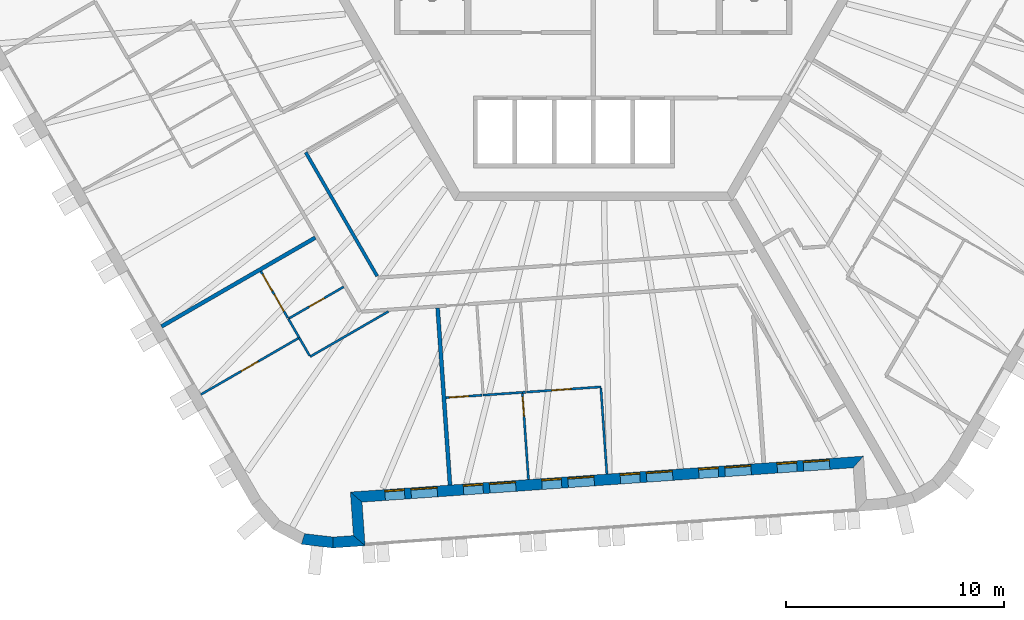
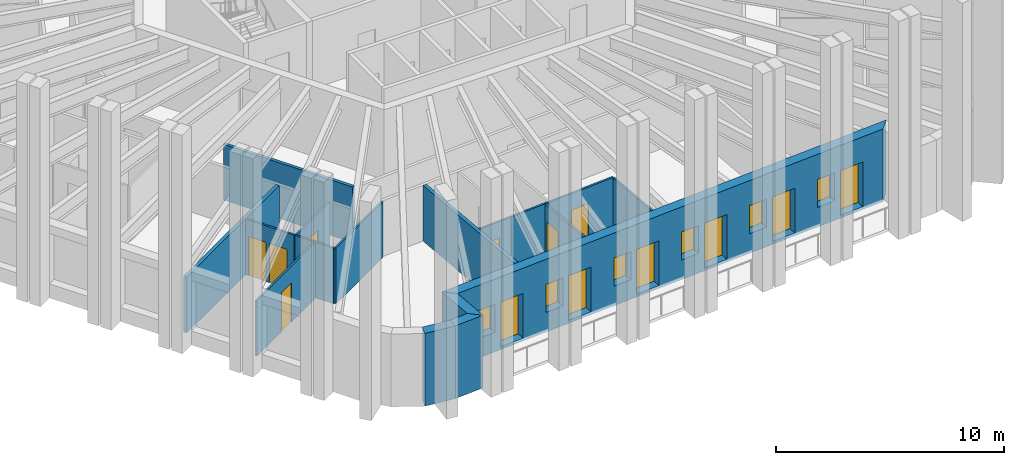
# One storey, part 3 of 13: 19 walls, 13 doors, 6 windows, 19 openings.
"""IFC4 building model written with IfcOpenShell, lengths in metres."""

from ifc_helpers import new_model, si_unit, direction, frame, frame_2d, origin, place, context, subcontext, project, spatial, polyline, rectangle, outline, extrude, material, layer, layer_set, type_object, element, fill, save


model = new_model("IFC4")

# Units and contexts
model_context = context("Model", 3, precision=1e-05, world=origin(), true_north=direction((0.0, 1.0)))
body_context = subcontext(model_context, "Body", "Model", "MODEL_VIEW")
ifc_project = project(units=[si_unit("LENGTHUNIT", "METRE"), si_unit("AREAUNIT", "SQUARE_METRE"), si_unit("VOLUMEUNIT", "CUBIC_METRE"), si_unit("PLANEANGLEUNIT", "RADIAN"), si_unit("MASSUNIT", "GRAM", prefix="KILO")], contexts=[model_context])

# Site, building, storey
site_placement = place(None, origin())
site = spatial("IfcSite", under=ifc_project, at=site_placement, CompositionType="ELEMENT")
building_placement = place(site_placement, origin())
building = spatial("IfcBuilding", under=site, at=building_placement, Name="Tarnside Tower", CompositionType="ELEMENT")
storey_placement = place(building_placement, frame((0.0, 0.0, 279.60009765625)))
storey = spatial("IfcBuildingStorey", under=building, at=storey_placement, Name="L67", CompositionType="ELEMENT", Elevation=279.60009765625)

# Walls
ifc_material_1 = material(Name="Gypsum board partition on steel studs", Category="steel")
ifc_layer_1 = layer(ifc_material_1, 0.10009765625)
ifc_layer_set_1 = layer_set([ifc_layer_1], Name="Bathroom wall 100")
wall_type_1 = type_object("IfcWallType", Name="Bathroom wall 100", PredefinedType="PARTITIONING", material=ifc_layer_set_1)
wall_1_placement = place(storey_placement, frame((-9.382080078125, -16.068603515625, 0.0), z_axis=(0.0, 0.0, 1.0), x_axis=(-0.866028486751, -0.499994660107, 0.0)))
element("IfcWall", 1, at=wall_1_placement, inside=storey, type_object=wall_type_1, Name="Bathroom wall 22129", PredefinedType="PARTITIONING", context=body_context, shape_type="SweptSolid", body=[
    extrude(rectangle(XDim=4.140625, YDim=0.10009765625, at=frame_2d((2.0703125, 0.0))), origin(), (0.0, 0.0, 1.0), 2.98779296875),
])
wall_2_placement = place(storey_placement, frame((-12.992919921875, -18.095703125, 0.0), z_axis=(0.0, 0.0, 1.0), x_axis=(-0.500055416838, 0.865993406494, 0.0)))
element("IfcWall", 2, at=wall_2_placement, inside=storey, type_object=wall_type_1, Name="Bathroom wall 22130", PredefinedType="PARTITIONING", context=body_context, shape_type="SweptSolid", body=[
    extrude(rectangle(XDim=0.9521484375, YDim=0.10009765625, at=frame_2d((0.47607421875, 0.0))), origin(), (0.0, 0.0, 1.0), 2.98779296875),
])

# Wall, opening, door
wall_3_placement = place(storey_placement, frame((-13.968017578125, -16.40673828125, 0.0), z_axis=(0.0, 0.0, 1.0), x_axis=(0.866046596414, 0.499963291492, 0.0)))
wall_3 = element("IfcWall", 3, at=wall_3_placement, inside=storey, type_object=wall_type_1, Name="Bathroom wall 22134", PredefinedType="PARTITIONING", context=body_context, shape_type="SweptSolid", body=[
    extrude(rectangle(XDim=2.925048828125, YDim=0.10009765625, at=frame_2d((1.46240234375, 0.0))), origin(), (0.0, 0.0, 1.0), 2.98779296875),
])
opening_1_placement = place(wall_3_placement, frame((1.10009765625, 0.0, 0.0)))
opening_1 = element("IfcOpeningElement", 4, at=opening_1_placement, cuts=wall_3, Name="Opening D-B1", PredefinedType="OPENING", context=body_context, shape_type="SweptSolid", body=[
    extrude(rectangle(XDim=0.800048828125, YDim=2.10009765625, at=frame_2d((0.39990234375, 1.050048828125))), frame((0.0, 0.06005859375, 0.0), z_axis=(0.0, -1.0, 0.0), x_axis=(1.0, 0.0, 0.0)), (0.0, 0.0, 1.0), 0.1201171875),
])
ifc_material_2 = material(Name="Timber door leaf", Category="wood")
door_type_1 = type_object("IfcDoorType", Name="Bathroom door 800", OperationType="NOTDEFINED", PredefinedType="DOOR", material=ifc_material_2)
door_1_placement = place(opening_1_placement, origin())
door_1 = element("IfcDoor", 5, at=door_1_placement, inside=storey, type_object=door_type_1, Name="Bathroom door 22042", OperationType="SINGLE_SWING_LEFT", OverallHeight=2.10009765625, OverallWidth=0.800048828125, PredefinedType="DOOR", context=body_context, shape_type="SweptSolid", body=[
    extrude(rectangle(XDim=0.800048828125, YDim=2.10009765625, at=frame_2d((0.39990234375, 1.050048828125))), frame((0.0, 0.02490234375, 0.0), z_axis=(0.0, -1.0, 0.0), x_axis=(1.0, 0.0, 0.0)), (0.0, 0.0, 1.0), 0.050048828125),
])
fill(opening_1, door_1)

# Walls
wall_4_placement = place(storey_placement, frame((-13.968994140625, -16.405029296875, 0.0), z_axis=(0.0, 0.0, 1.0), x_axis=(0.499912255713, -0.866076057046, 0.0)))
element("IfcWall", 6, at=wall_4_placement, inside=storey, type_object=wall_type_1, Name="Bathroom wall 22136", PredefinedType="PARTITIONING", context=body_context, shape_type="SweptSolid", body=[
    extrude(rectangle(XDim=1.002197265625, YDim=0.10009765625, at=frame_2d((0.5009765625, 0.0))), origin(), (0.0, 0.0, 1.0), 2.98779296875),
])
wall_5_placement = place(storey_placement, frame((-5.05078125, -19.90087890625, 0.0), z_axis=(0.0, 0.0, 1.0), x_axis=(0.997562835018, 0.069773850337, 0.0)))
element("IfcWall", 7, at=wall_5_placement, inside=storey, type_object=wall_type_1, Name="Bathroom wall 22143", PredefinedType="PARTITIONING", context=body_context, shape_type="SweptSolid", body=[
    extrude(rectangle(XDim=1.802001953125, YDim=0.10009765625, at=frame_2d((0.90087890625, 0.0))), origin(), (0.0, 0.0, 1.0), 2.98779296875),
])
wall_6_placement = place(storey_placement, frame((-3.253173828125, -19.775146484375, 0.0), z_axis=(0.0, 0.0, 1.0), x_axis=(0.997499305037, 0.070676279262, 0.0)))
element("IfcWall", 8, at=wall_6_placement, inside=storey, type_object=wall_type_1, Name="Bathroom wall 22144", PredefinedType="PARTITIONING", context=body_context, shape_type="SweptSolid", body=[
    extrude(rectangle(XDim=0.152099609375, YDim=0.10009765625, at=frame_2d((0.076171875, 0.0))), origin(), (0.0, 0.0, 1.0), 2.98779296875),
])
ifc_layer_2 = layer(ifc_material_1, 0.14990234375)
ifc_layer_set_2 = layer_set([ifc_layer_2], Name="Corridor wall 150 EI 60")
wall_type_2 = type_object("IfcWallType", Name="Corridor wall 150 EI 60", PredefinedType="PARTITIONING", material=ifc_layer_set_2)
wall_7_placement = place(storey_placement, frame((-9.901123046875, -14.450927734375, 0.0), z_axis=(0.0, 0.0, 1.0), x_axis=(-0.49999161165, 0.866030246746, 0.0)))
element("IfcWall", 9, at=wall_7_placement, inside=storey, type_object=wall_type_2, Name="Corridor wall 22053", PredefinedType="PARTITIONING", context=body_context, shape_type="SweptSolid", body=[
    extrude(rectangle(XDim=6.54296875, YDim=0.14990234375, at=frame_2d((3.271484375, 0.0))), origin(), (0.0, 0.0, 1.0), 2.98779296875),
])
ifc_layer_3 = layer(ifc_material_1, 0.179931640625)
ifc_layer_set_3 = layer_set([ifc_layer_3], Name="Demising wall 180 EI 60")
wall_type_3 = type_object("IfcWallType", Name="Demising wall 180 EI 60", PredefinedType="PARTITIONING", material=ifc_layer_set_3)
for number, where, z_axis, x_axis, name in (
    (10, (-19.771240234375, -16.755126953125, 0.0), (0.0, 0.0, 1.0), (0.866022959057, 0.500004234368, 0.0), "Demising wall 22120"),
    (11, (-6.5654296875, -24.0166015625, 0.0), (0.0, 0.0, 1.0), (-0.069741515951, 0.997565096098, 0.0), "Demising wall 22132"),
):
    element("IfcWall", number, at=place(storey_placement, frame(where, z_axis=z_axis, x_axis=x_axis)), inside=storey, type_object=wall_type_3, Name=name, PredefinedType="PARTITIONING", context=body_context, shape_type="SweptSolid", body=[
        extrude(rectangle(XDim=8.125, YDim=0.179931640625, at=frame_2d((4.0625, 0.0))), origin(), (0.0, 0.0, 1.0), 2.98779296875),
    ])
ifc_material_3 = material(Name="Dark zinc cladding")
ifc_layer_4 = layer(ifc_material_3, 0.10205078125)
ifc_material_4 = material(Name="Concrete C60/75 precast", Category="concrete")
ifc_layer_5 = layer(ifc_material_4, 0.298095703125)
ifc_material_5 = material(Name="Mineral wool insulation")
ifc_layer_6 = layer(ifc_material_5, 0.10009765625)
ifc_layer_set_4 = layer_set([ifc_layer_4, ifc_layer_5, ifc_layer_6], Name="Loggia wall 500 zinc faced")
wall_type_4 = type_object("IfcWallType", Name="Loggia wall 500 zinc faced", PredefinedType="SOLIDWALL", material=ifc_layer_set_4)
wall_8_placement = place(storey_placement, frame((-11.91748046875, -26.646240234375, -0.150146484375), z_axis=(0.0, 0.0, 1.0), x_axis=(0.997562933087, 0.069772448216, 0.0)))
element("IfcWall", 12, at=wall_8_placement, inside=storey, type_object=wall_type_4, Name="Tube wall L67 F4 stub 16", PredefinedType="SOLIDWALL", context=body_context, shape_type="SweptSolid", body=[
    extrude(outline(polyline([(-0.0234375, -0.25), (1.4501953125, -0.25), (0.9501953125, 0.25), (0.0234375, 0.25), (-0.0234375, -0.25)])), origin(), (0.0, 0.0, 1.0), 3.900146484375),
])
wall_9_placement = place(storey_placement, frame((-10.72021484375, -26.5625, -0.150146484375), z_axis=(0.0, 0.0, 1.0), x_axis=(-0.069824268692, 0.99755930726, 0.0)))
element("IfcWall", 13, at=wall_9_placement, inside=storey, type_object=wall_type_4, Name="Tube wall L67 F4 return 17", PredefinedType="SOLIDWALL", context=body_context, shape_type="SweptSolid", body=[
    extrude(outline(polyline([(-0.25, -0.25), (1.75, -0.25), (2.25, 0.25), (0.25, 0.25), (-0.25, -0.25)])), origin(), (0.0, 0.0, 1.0), 3.900146484375),
])

# Wall, openings, doors, windows
wall_10_placement = place(storey_placement, frame((-10.85986328125, -24.5673828125, -0.150146484375), z_axis=(0.0, 0.0, 1.0), x_axis=(0.997564329317, 0.06975248292, 0.0)))
wall_10 = element("IfcWall", 14, at=wall_10_placement, inside=storey, type_object=wall_type_4, Name="Tube wall L67 F4 back 18", PredefinedType="SOLIDWALL", context=body_context, shape_type="SweptSolid", body=[
    extrude(outline(polyline([(0.25, -0.25), (22.794677734375, -0.25), (23.294677734375, 0.25), (-0.25, 0.25), (0.25, -0.25)])), origin(), (0.0, 0.0, 1.0), 3.900146484375),
])
opening_2_placement = place(wall_10_placement, frame((1.322509765625, 0.0, 1.050048828125)))
opening_2 = element("IfcOpeningElement", 15, at=opening_2_placement, cuts=wall_10, Name="Opening WL500", PredefinedType="OPENING", context=body_context, shape_type="SweptSolid", body=[
    extrude(rectangle(XDim=0.89990234375, YDim=1.5, at=frame_2d((0.449951171875, 0.75))), frame((0.0, 0.260009765625, 0.0), z_axis=(0.0, -1.0, 0.0), x_axis=(1.0, 0.0, 0.0)), (0.0, 0.0, 1.0), 0.52001953125),
])
opening_3_placement = place(wall_10_placement, frame((2.5224609375, 0.0, 0.14990234375)))
opening_3 = element("IfcOpeningElement", 16, at=opening_3_placement, cuts=wall_10, Name="Opening DB500", PredefinedType="OPENING", context=body_context, shape_type="SweptSolid", body=[
    extrude(rectangle(XDim=1.199951171875, YDim=2.39990234375, at=frame_2d((0.60009765625, 1.199951171875))), frame((0.0, 0.260009765625, 0.0), z_axis=(0.0, -1.0, 0.0), x_axis=(1.0, 0.0, 0.0)), (0.0, 0.0, 1.0), 0.52001953125),
])
opening_4_placement = place(wall_10_placement, frame((4.92236328125, 0.0, 1.050048828125)))
opening_4 = element("IfcOpeningElement", 17, at=opening_4_placement, cuts=wall_10, Name="Opening WL500", PredefinedType="OPENING", context=body_context, shape_type="SweptSolid", body=[
    extrude(rectangle(XDim=0.89990234375, YDim=1.5, at=frame_2d((0.449951171875, 0.75))), frame((0.0, 0.260009765625, 0.0), z_axis=(0.0, -1.0, 0.0), x_axis=(1.0, 0.0, 0.0)), (0.0, 0.0, 1.0), 0.52001953125),
])
opening_5_placement = place(wall_10_placement, frame((6.122314453125, 0.0, 0.14990234375)))
opening_5 = element("IfcOpeningElement", 18, at=opening_5_placement, cuts=wall_10, Name="Opening DB500", PredefinedType="OPENING", context=body_context, shape_type="SweptSolid", body=[
    extrude(rectangle(XDim=1.199951171875, YDim=2.39990234375, at=frame_2d((0.60009765625, 1.199951171875))), frame((0.0, 0.260009765625, 0.0), z_axis=(0.0, -1.0, 0.0), x_axis=(1.0, 0.0, 0.0)), (0.0, 0.0, 1.0), 0.52001953125),
])
opening_6_placement = place(wall_10_placement, frame((8.5224609375, 0.0, 1.050048828125)))
opening_6 = element("IfcOpeningElement", 19, at=opening_6_placement, cuts=wall_10, Name="Opening WL500", PredefinedType="OPENING", context=body_context, shape_type="SweptSolid", body=[
    extrude(rectangle(XDim=0.89990234375, YDim=1.5, at=frame_2d((0.449951171875, 0.75))), frame((0.0, 0.260009765625, 0.0), z_axis=(0.0, -1.0, 0.0), x_axis=(1.0, 0.0, 0.0)), (0.0, 0.0, 1.0), 0.52001953125),
])
opening_7_placement = place(wall_10_placement, frame((9.722412109375, 0.0, 0.14990234375)))
opening_7 = element("IfcOpeningElement", 20, at=opening_7_placement, cuts=wall_10, Name="Opening DB500", PredefinedType="OPENING", context=body_context, shape_type="SweptSolid", body=[
    extrude(rectangle(XDim=1.199951171875, YDim=2.39990234375, at=frame_2d((0.60009765625, 1.199951171875))), frame((0.0, 0.260009765625, 0.0), z_axis=(0.0, -1.0, 0.0), x_axis=(1.0, 0.0, 0.0)), (0.0, 0.0, 1.0), 0.52001953125),
])
opening_8_placement = place(wall_10_placement, frame((12.122314453125, 0.0, 1.050048828125)))
opening_8 = element("IfcOpeningElement", 21, at=opening_8_placement, cuts=wall_10, Name="Opening WL500", PredefinedType="OPENING", context=body_context, shape_type="SweptSolid", body=[
    extrude(rectangle(XDim=0.89990234375, YDim=1.5, at=frame_2d((0.449951171875, 0.75))), frame((0.0, 0.260009765625, 0.0), z_axis=(0.0, -1.0, 0.0), x_axis=(1.0, 0.0, 0.0)), (0.0, 0.0, 1.0), 0.52001953125),
])
opening_9_placement = place(wall_10_placement, frame((13.322509765625, 0.0, 0.14990234375)))
opening_9 = element("IfcOpeningElement", 22, at=opening_9_placement, cuts=wall_10, Name="Opening DB500", PredefinedType="OPENING", context=body_context, shape_type="SweptSolid", body=[
    extrude(rectangle(XDim=1.199951171875, YDim=2.39990234375, at=frame_2d((0.60009765625, 1.199951171875))), frame((0.0, 0.260009765625, 0.0), z_axis=(0.0, -1.0, 0.0), x_axis=(1.0, 0.0, 0.0)), (0.0, 0.0, 1.0), 0.52001953125),
])
opening_10_placement = place(wall_10_placement, frame((15.722412109375, 0.0, 1.050048828125)))
opening_10 = element("IfcOpeningElement", 23, at=opening_10_placement, cuts=wall_10, Name="Opening WL500", PredefinedType="OPENING", context=body_context, shape_type="SweptSolid", body=[
    extrude(rectangle(XDim=0.89990234375, YDim=1.5, at=frame_2d((0.449951171875, 0.75))), frame((0.0, 0.260009765625, 0.0), z_axis=(0.0, -1.0, 0.0), x_axis=(1.0, 0.0, 0.0)), (0.0, 0.0, 1.0), 0.52001953125),
])
opening_11_placement = place(wall_10_placement, frame((16.92236328125, 0.0, 0.14990234375)))
opening_11 = element("IfcOpeningElement", 24, at=opening_11_placement, cuts=wall_10, Name="Opening DB500", PredefinedType="OPENING", context=body_context, shape_type="SweptSolid", body=[
    extrude(rectangle(XDim=1.199951171875, YDim=2.39990234375, at=frame_2d((0.60009765625, 1.199951171875))), frame((0.0, 0.260009765625, 0.0), z_axis=(0.0, -1.0, 0.0), x_axis=(1.0, 0.0, 0.0)), (0.0, 0.0, 1.0), 0.52001953125),
])
opening_12_placement = place(wall_10_placement, frame((19.322509765625, 0.0, 1.050048828125)))
opening_12 = element("IfcOpeningElement", 25, at=opening_12_placement, cuts=wall_10, Name="Opening WL500", PredefinedType="OPENING", context=body_context, shape_type="SweptSolid", body=[
    extrude(rectangle(XDim=0.89990234375, YDim=1.5, at=frame_2d((0.449951171875, 0.75))), frame((0.0, 0.260009765625, 0.0), z_axis=(0.0, -1.0, 0.0), x_axis=(1.0, 0.0, 0.0)), (0.0, 0.0, 1.0), 0.52001953125),
])
opening_13_placement = place(wall_10_placement, frame((20.5224609375, 0.0, 0.14990234375)))
opening_13 = element("IfcOpeningElement", 26, at=opening_13_placement, cuts=wall_10, Name="Opening DB500", PredefinedType="OPENING", context=body_context, shape_type="SweptSolid", body=[
    extrude(rectangle(XDim=1.199951171875, YDim=2.39990234375, at=frame_2d((0.60009765625, 1.199951171875))), frame((0.0, 0.260009765625, 0.0), z_axis=(0.0, -1.0, 0.0), x_axis=(1.0, 0.0, 0.0)), (0.0, 0.0, 1.0), 0.52001953125),
])
ifc_material_6 = material(Name="Aluminium-framed double glazing", Category="aluminium")
door_type_2 = type_object("IfcDoorType", Name="Balcony sliding door 1200 x 2400 in 500 wall", OperationType="SLIDING_TO_LEFT", PredefinedType="DOOR", material=ifc_material_6)
door_2_placement = place(opening_3_placement, frame((0.0, 0.1748046875, 0.0)))
door_2 = element("IfcDoor", 27, at=door_2_placement, inside=storey, type_object=door_type_2, Name="E.BD.L67.F4.00", OperationType="SLIDING_TO_LEFT", OverallHeight=2.39990234375, OverallWidth=1.199951171875, PredefinedType="DOOR", context=body_context, shape_type="SweptSolid", body=[
    extrude(rectangle(XDim=1.199951171875, YDim=2.39990234375, at=frame_2d((0.60009765625, 1.199951171875))), frame((0.0, 0.02490234375, 0.0), z_axis=(0.0, -1.0, 0.0), x_axis=(1.0, 0.0, 0.0)), (0.0, 0.0, 1.0), 0.050048828125),
])
fill(opening_3, door_2)
door_3_placement = place(opening_5_placement, frame((0.0, 0.1748046875, 0.0)))
door_3 = element("IfcDoor", 28, at=door_3_placement, inside=storey, type_object=door_type_2, Name="E.BD.L67.F4.01", OperationType="SLIDING_TO_LEFT", OverallHeight=2.39990234375, OverallWidth=1.199951171875, PredefinedType="DOOR", context=body_context, shape_type="SweptSolid", body=[
    extrude(rectangle(XDim=1.199951171875, YDim=2.39990234375, at=frame_2d((0.60009765625, 1.199951171875))), frame((0.0, 0.02490234375, 0.0), z_axis=(0.0, -1.0, 0.0), x_axis=(1.0, 0.0, 0.0)), (0.0, 0.0, 1.0), 0.050048828125),
])
fill(opening_5, door_3)
door_4_placement = place(opening_7_placement, frame((0.0, 0.1748046875, 0.0)))
door_4 = element("IfcDoor", 29, at=door_4_placement, inside=storey, type_object=door_type_2, Name="E.BD.L67.F4.02", OperationType="SLIDING_TO_LEFT", OverallHeight=2.39990234375, OverallWidth=1.199951171875, PredefinedType="DOOR", context=body_context, shape_type="SweptSolid", body=[
    extrude(rectangle(XDim=1.199951171875, YDim=2.39990234375, at=frame_2d((0.60009765625, 1.199951171875))), frame((0.0, 0.02490234375, 0.0), z_axis=(0.0, -1.0, 0.0), x_axis=(1.0, 0.0, 0.0)), (0.0, 0.0, 1.0), 0.050048828125),
])
fill(opening_7, door_4)
door_5_placement = place(opening_9_placement, frame((0.0, 0.1748046875, 0.0)))
door_5 = element("IfcDoor", 30, at=door_5_placement, inside=storey, type_object=door_type_2, Name="E.BD.L67.F4.03", OperationType="SLIDING_TO_LEFT", OverallHeight=2.39990234375, OverallWidth=1.199951171875, PredefinedType="DOOR", context=body_context, shape_type="SweptSolid", body=[
    extrude(rectangle(XDim=1.199951171875, YDim=2.39990234375, at=frame_2d((0.60009765625, 1.199951171875))), frame((0.0, 0.02490234375, 0.0), z_axis=(0.0, -1.0, 0.0), x_axis=(1.0, 0.0, 0.0)), (0.0, 0.0, 1.0), 0.050048828125),
])
fill(opening_9, door_5)
door_6_placement = place(opening_11_placement, frame((0.0, 0.1748046875, 0.0)))
door_6 = element("IfcDoor", 31, at=door_6_placement, inside=storey, type_object=door_type_2, Name="E.BD.L67.F4.04", OperationType="SLIDING_TO_LEFT", OverallHeight=2.39990234375, OverallWidth=1.199951171875, PredefinedType="DOOR", context=body_context, shape_type="SweptSolid", body=[
    extrude(rectangle(XDim=1.199951171875, YDim=2.39990234375, at=frame_2d((0.60009765625, 1.199951171875))), frame((0.0, 0.02490234375, 0.0), z_axis=(0.0, -1.0, 0.0), x_axis=(1.0, 0.0, 0.0)), (0.0, 0.0, 1.0), 0.050048828125),
])
fill(opening_11, door_6)
door_7_placement = place(opening_13_placement, frame((0.0, 0.1748046875, 0.0)))
door_7 = element("IfcDoor", 32, at=door_7_placement, inside=storey, type_object=door_type_2, Name="E.BD.L67.F4.05", OperationType="SLIDING_TO_LEFT", OverallHeight=2.39990234375, OverallWidth=1.199951171875, PredefinedType="DOOR", context=body_context, shape_type="SweptSolid", body=[
    extrude(rectangle(XDim=1.199951171875, YDim=2.39990234375, at=frame_2d((0.60009765625, 1.199951171875))), frame((0.0, 0.02490234375, 0.0), z_axis=(0.0, -1.0, 0.0), x_axis=(1.0, 0.0, 0.0)), (0.0, 0.0, 1.0), 0.050048828125),
])
fill(opening_13, door_7)
window_type = type_object("IfcWindowType", Name="Loggia window 900 x 1500 in 500 wall", PartitioningType="SINGLE_PANEL", PredefinedType="WINDOW", material=ifc_material_6)
window_1_placement = place(opening_2_placement, frame((0.0, 0.179931640625, 0.0)))
window_1 = element("IfcWindow", 33, at=window_1_placement, inside=storey, type_object=window_type, Name="E.LW.L67.F4.00", OverallHeight=1.5, OverallWidth=0.89990234375, PartitioningType="SINGLE_PANEL", PredefinedType="WINDOW", context=body_context, shape_type="SweptSolid", body=[
    extrude(rectangle(XDim=0.89990234375, YDim=1.5, at=frame_2d((0.449951171875, 0.75))), frame((0.0, 0.030029296875, 0.0), z_axis=(0.0, -1.0, 0.0), x_axis=(1.0, 0.0, 0.0)), (0.0, 0.0, 1.0), 0.06005859375),
])
fill(opening_2, window_1)
window_2_placement = place(opening_4_placement, frame((0.0, 0.179931640625, 0.0)))
window_2 = element("IfcWindow", 34, at=window_2_placement, inside=storey, type_object=window_type, Name="E.LW.L67.F4.01", OverallHeight=1.5, OverallWidth=0.89990234375, PartitioningType="SINGLE_PANEL", PredefinedType="WINDOW", context=body_context, shape_type="SweptSolid", body=[
    extrude(rectangle(XDim=0.89990234375, YDim=1.5, at=frame_2d((0.449951171875, 0.75))), frame((0.0, 0.030029296875, 0.0), z_axis=(0.0, -1.0, 0.0), x_axis=(1.0, 0.0, 0.0)), (0.0, 0.0, 1.0), 0.06005859375),
])
fill(opening_4, window_2)
window_3_placement = place(opening_6_placement, frame((0.0, 0.179931640625, 0.0)))
window_3 = element("IfcWindow", 35, at=window_3_placement, inside=storey, type_object=window_type, Name="E.LW.L67.F4.02", OverallHeight=1.5, OverallWidth=0.89990234375, PartitioningType="SINGLE_PANEL", PredefinedType="WINDOW", context=body_context, shape_type="SweptSolid", body=[
    extrude(rectangle(XDim=0.89990234375, YDim=1.5, at=frame_2d((0.449951171875, 0.75))), frame((0.0, 0.030029296875, 0.0), z_axis=(0.0, -1.0, 0.0), x_axis=(1.0, 0.0, 0.0)), (0.0, 0.0, 1.0), 0.06005859375),
])
fill(opening_6, window_3)
window_4_placement = place(opening_8_placement, frame((0.0, 0.179931640625, 0.0)))
window_4 = element("IfcWindow", 36, at=window_4_placement, inside=storey, type_object=window_type, Name="E.LW.L67.F4.03", OverallHeight=1.5, OverallWidth=0.89990234375, PartitioningType="SINGLE_PANEL", PredefinedType="WINDOW", context=body_context, shape_type="SweptSolid", body=[
    extrude(rectangle(XDim=0.89990234375, YDim=1.5, at=frame_2d((0.449951171875, 0.75))), frame((0.0, 0.030029296875, 0.0), z_axis=(0.0, -1.0, 0.0), x_axis=(1.0, 0.0, 0.0)), (0.0, 0.0, 1.0), 0.06005859375),
])
fill(opening_8, window_4)
window_5_placement = place(opening_10_placement, frame((0.0, 0.179931640625, 0.0)))
window_5 = element("IfcWindow", 37, at=window_5_placement, inside=storey, type_object=window_type, Name="E.LW.L67.F4.04", OverallHeight=1.5, OverallWidth=0.89990234375, PartitioningType="SINGLE_PANEL", PredefinedType="WINDOW", context=body_context, shape_type="SweptSolid", body=[
    extrude(rectangle(XDim=0.89990234375, YDim=1.5, at=frame_2d((0.449951171875, 0.75))), frame((0.0, 0.030029296875, 0.0), z_axis=(0.0, -1.0, 0.0), x_axis=(1.0, 0.0, 0.0)), (0.0, 0.0, 1.0), 0.06005859375),
])
fill(opening_10, window_5)
window_6_placement = place(opening_12_placement, frame((0.0, 0.179931640625, 0.0)))
window_6 = element("IfcWindow", 38, at=window_6_placement, inside=storey, type_object=window_type, Name="E.LW.L67.F4.05", OverallHeight=1.5, OverallWidth=0.89990234375, PartitioningType="SINGLE_PANEL", PredefinedType="WINDOW", context=body_context, shape_type="SweptSolid", body=[
    extrude(rectangle(XDim=0.89990234375, YDim=1.5, at=frame_2d((0.449951171875, 0.75))), frame((0.0, 0.030029296875, 0.0), z_axis=(0.0, -1.0, 0.0), x_axis=(1.0, 0.0, 0.0)), (0.0, 0.0, 1.0), 0.06005859375),
])
fill(opening_12, window_6)

# Wall, opening, door
ifc_layer_7 = layer(ifc_material_1, 0.10009765625)
ifc_layer_set_5 = layer_set([ifc_layer_7], Name="Partition 100")
wall_type_5 = type_object("IfcWallType", Name="Partition 100", PredefinedType="PARTITIONING", material=ifc_layer_set_5)
wall_11_placement = place(storey_placement, frame((-13.51123046875, -17.2978515625, 0.0), z_axis=(0.0, 0.0, 1.0), x_axis=(-0.866026116456, -0.499998765615, 0.0)))
wall_11 = element("IfcWall", 39, at=wall_11_placement, inside=storey, type_object=wall_type_5, Name="Partition wall 22131", PredefinedType="PARTITIONING", context=body_context, shape_type="SweptSolid", body=[
    extrude(rectangle(XDim=5.14990234375, YDim=0.10009765625, at=frame_2d((2.574951171875, 0.0))), origin(), (0.0, 0.0, 1.0), 2.98779296875),
])
opening_14_placement = place(wall_11_placement, frame((2.125, 0.0, 0.0)))
opening_14 = element("IfcOpeningElement", 40, at=opening_14_placement, cuts=wall_11, Name="Opening D-I1", PredefinedType="OPENING", context=body_context, shape_type="SweptSolid", body=[
    extrude(rectangle(XDim=0.89990234375, YDim=2.10009765625, at=frame_2d((0.449951171875, 1.050048828125))), frame((0.0, 0.06005859375, 0.0), z_axis=(0.0, -1.0, 0.0), x_axis=(1.0, 0.0, 0.0)), (0.0, 0.0, 1.0), 0.1201171875),
])
door_type_3 = type_object("IfcDoorType", Name="Internal door 900", OperationType="NOTDEFINED", PredefinedType="DOOR", material=ifc_material_2)
door_8_placement = place(opening_14_placement, origin())
door_8 = element("IfcDoor", 41, at=door_8_placement, inside=storey, type_object=door_type_3, Name="Internal door 22084", OperationType="SINGLE_SWING_RIGHT", OverallHeight=2.10009765625, OverallWidth=0.89990234375, PredefinedType="DOOR", context=body_context, shape_type="SweptSolid", body=[
    extrude(rectangle(XDim=0.89990234375, YDim=2.10009765625, at=frame_2d((0.449951171875, 1.050048828125))), frame((0.0, 0.02490234375, 0.0), z_axis=(0.0, -1.0, 0.0), x_axis=(1.0, 0.0, 0.0)), (0.0, 0.0, 1.0), 0.050048828125),
])
fill(opening_14, door_8)

# Wall, openings, doors
wall_12_placement = place(storey_placement, frame((-15.222900390625, -14.233154296875, 0.0), z_axis=(0.0, 0.0, 1.0), x_axis=(0.500000007376, -0.866025399526, 0.0)))
wall_12 = element("IfcWall", 42, at=wall_12_placement, inside=storey, type_object=wall_type_5, Name="Partition wall 22135", PredefinedType="PARTITIONING", context=body_context, shape_type="SweptSolid", body=[
    extrude(rectangle(XDim=2.4619140625, YDim=0.10009765625, at=frame_2d((1.23095703125, 0.0))), origin(), (0.0, 0.0, 1.0), 2.98779296875),
])
opening_15_placement = place(wall_12_placement, frame((0.14990234375, 0.0, 0.0)))
opening_15 = element("IfcOpeningElement", 43, at=opening_15_placement, cuts=wall_12, Name="Opening D-I1", PredefinedType="OPENING", context=body_context, shape_type="SweptSolid", body=[
    extrude(rectangle(XDim=0.89990234375, YDim=2.10009765625, at=frame_2d((0.449951171875, 1.050048828125))), frame((0.0, 0.06005859375, 0.0), z_axis=(0.0, -1.0, 0.0), x_axis=(1.0, 0.0, 0.0)), (0.0, 0.0, 1.0), 0.1201171875),
])
opening_16_placement = place(wall_12_placement, frame((1.2099609375, 0.0, 0.0)))
opening_16 = element("IfcOpeningElement", 44, at=opening_16_placement, cuts=wall_12, Name="Opening D-I1", PredefinedType="OPENING", context=body_context, shape_type="SweptSolid", body=[
    extrude(rectangle(XDim=0.89990234375, YDim=2.10009765625, at=frame_2d((0.449951171875, 1.050048828125))), frame((0.0, 0.06005859375, 0.0), z_axis=(0.0, -1.0, 0.0), x_axis=(1.0, 0.0, 0.0)), (0.0, 0.0, 1.0), 0.1201171875),
])
door_9_placement = place(opening_15_placement, origin())
door_9 = element("IfcDoor", 45, at=door_9_placement, inside=storey, type_object=door_type_3, Name="Internal door 22044", OperationType="SINGLE_SWING_LEFT", OverallHeight=2.10009765625, OverallWidth=0.89990234375, PredefinedType="DOOR", context=body_context, shape_type="SweptSolid", body=[
    extrude(rectangle(XDim=0.89990234375, YDim=2.10009765625, at=frame_2d((0.449951171875, 1.050048828125))), frame((0.0, 0.02490234375, 0.0), z_axis=(0.0, -1.0, 0.0), x_axis=(1.0, 0.0, 0.0)), (0.0, 0.0, 1.0), 0.050048828125),
])
fill(opening_15, door_9)
door_10_placement = place(opening_16_placement, origin())
door_10 = element("IfcDoor", 46, at=door_10_placement, inside=storey, type_object=door_type_3, Name="Internal door 22045", OperationType="SINGLE_SWING_LEFT", OverallHeight=2.10009765625, OverallWidth=0.89990234375, PredefinedType="DOOR", context=body_context, shape_type="SweptSolid", body=[
    extrude(rectangle(XDim=0.89990234375, YDim=2.10009765625, at=frame_2d((0.449951171875, 1.050048828125))), frame((0.0, 0.02490234375, 0.0), z_axis=(0.0, -1.0, 0.0), x_axis=(1.0, 0.0, 0.0)), (0.0, 0.0, 1.0), 0.050048828125),
])
fill(opening_16, door_10)

# Wall, opening, door
wall_13_placement = place(storey_placement, frame((-3.0556640625, -19.76123046875, 0.0), z_axis=(0.0, 0.0, 1.0), x_axis=(0.997564312984, 0.069752716511, 0.0)))
wall_13 = element("IfcWall", 47, at=wall_13_placement, inside=storey, type_object=wall_type_5, Name="Partition wall 22138", PredefinedType="PARTITIONING", context=body_context, shape_type="SweptSolid", body=[
    extrude(rectangle(XDim=3.402099609375, YDim=0.10009765625, at=frame_2d((1.701171875, 0.0))), origin(), (0.0, 0.0, 1.0), 2.98779296875),
])
opening_17_placement = place(wall_13_placement, frame((1.152099609375, 0.0, 0.0)))
opening_17 = element("IfcOpeningElement", 48, at=opening_17_placement, cuts=wall_13, Name="Opening D-I1", PredefinedType="OPENING", context=body_context, shape_type="SweptSolid", body=[
    extrude(rectangle(XDim=0.89990234375, YDim=2.10009765625, at=frame_2d((0.449951171875, 1.050048828125))), frame((0.0, 0.06005859375, 0.0), z_axis=(0.0, -1.0, 0.0), x_axis=(1.0, 0.0, 0.0)), (0.0, 0.0, 1.0), 0.1201171875),
])
door_11_placement = place(opening_17_placement, origin())
door_11 = element("IfcDoor", 49, at=door_11_placement, inside=storey, type_object=door_type_3, Name="Internal door 22053", OperationType="SINGLE_SWING_RIGHT", OverallHeight=2.10009765625, OverallWidth=0.89990234375, PredefinedType="DOOR", context=body_context, shape_type="SweptSolid", body=[
    extrude(rectangle(XDim=0.89990234375, YDim=2.10009765625, at=frame_2d((0.449951171875, 1.050048828125))), frame((0.0, 0.02490234375, 0.0), z_axis=(0.0, -1.0, 0.0), x_axis=(1.0, 0.0, 0.0)), (0.0, 0.0, 1.0), 0.050048828125),
])
fill(opening_17, door_11)

# Wall
wall_14_placement = place(storey_placement, frame((0.341552734375, -19.573974609375, 0.0), z_axis=(0.0, 0.0, 1.0), x_axis=(0.06972271583, -0.997566410269, 0.0)))
element("IfcWall", 50, at=wall_14_placement, inside=storey, type_object=wall_type_5, Name="Partition wall 22139", PredefinedType="PARTITIONING", context=body_context, shape_type="SweptSolid", body=[
    extrude(rectangle(XDim=3.94970703125, YDim=0.10009765625, at=frame_2d((1.974853515625, 0.0))), origin(), (0.0, 0.0, 1.0), 2.98779296875),
])

# Wall, opening, door
wall_15_placement = place(storey_placement, frame((-6.754638671875, -20.02001953125, 0.0), z_axis=(0.0, 0.0, 1.0), x_axis=(0.9975627517, 0.069775041534, 0.0)))
wall_15 = element("IfcWall", 51, at=wall_15_placement, inside=storey, type_object=wall_type_5, Name="Partition wall 22142", PredefinedType="PARTITIONING", context=body_context, shape_type="SweptSolid", body=[
    extrude(rectangle(XDim=1.662109375, YDim=0.10009765625, at=frame_2d((0.8310546875, 0.0))), origin(), (0.0, 0.0, 1.0), 2.98779296875),
])
opening_18_placement = place(wall_15_placement, frame((0.14990234375, 0.0, 0.0)))
opening_18 = element("IfcOpeningElement", 52, at=opening_18_placement, cuts=wall_15, Name="Opening D-I1", PredefinedType="OPENING", context=body_context, shape_type="SweptSolid", body=[
    extrude(rectangle(XDim=0.89990234375, YDim=2.10009765625, at=frame_2d((0.449951171875, 1.050048828125))), frame((0.0, 0.06005859375, 0.0), z_axis=(0.0, -1.0, 0.0), x_axis=(1.0, 0.0, 0.0)), (0.0, 0.0, 1.0), 0.1201171875),
])
door_12_placement = place(opening_18_placement, origin())
door_12 = element("IfcDoor", 53, at=door_12_placement, inside=storey, type_object=door_type_3, Name="Internal door 22049", OperationType="SINGLE_SWING_LEFT", OverallHeight=2.10009765625, OverallWidth=0.89990234375, PredefinedType="DOOR", context=body_context, shape_type="SweptSolid", body=[
    extrude(rectangle(XDim=0.89990234375, YDim=2.10009765625, at=frame_2d((0.449951171875, 1.050048828125))), frame((0.0, 0.02490234375, 0.0), z_axis=(0.0, -1.0, 0.0), x_axis=(1.0, 0.0, 0.0)), (0.0, 0.0, 1.0), 0.050048828125),
])
fill(opening_18, door_12)

wall_16_placement = place(storey_placement, frame((-2.97412109375, -23.765380859375, 0.0), z_axis=(0.0, 0.0, 1.0), x_axis=(-0.069779923244, 0.997562410234, 0.0)))
wall_16 = element("IfcWall", 54, at=wall_16_placement, inside=storey, type_object=wall_type_5, Name="Partition wall 22145", PredefinedType="PARTITIONING", context=body_context, shape_type="SweptSolid", body=[
    extrude(rectangle(XDim=3.949951171875, YDim=0.10009765625, at=frame_2d((1.97509765625, 0.0))), origin(), (0.0, 0.0, 1.0), 2.98779296875),
])
opening_19_placement = place(wall_16_placement, frame((2.89990234375, 0.0, 0.0)))
opening_19 = element("IfcOpeningElement", 55, at=opening_19_placement, cuts=wall_16, Name="Opening D-I1", PredefinedType="OPENING", context=body_context, shape_type="SweptSolid", body=[
    extrude(rectangle(XDim=0.89990234375, YDim=2.10009765625, at=frame_2d((0.449951171875, 1.050048828125))), frame((0.0, 0.06005859375, 0.0), z_axis=(0.0, -1.0, 0.0), x_axis=(1.0, 0.0, 0.0)), (0.0, 0.0, 1.0), 0.1201171875),
])
door_13_placement = place(opening_19_placement, origin())
door_13 = element("IfcDoor", 56, at=door_13_placement, inside=storey, type_object=door_type_3, Name="Internal door 22052", OperationType="SINGLE_SWING_RIGHT", OverallHeight=2.10009765625, OverallWidth=0.89990234375, PredefinedType="DOOR", context=body_context, shape_type="SweptSolid", body=[
    extrude(rectangle(XDim=0.89990234375, YDim=2.10009765625, at=frame_2d((0.449951171875, 1.050048828125))), frame((0.0, 0.02490234375, 0.0), z_axis=(0.0, -1.0, 0.0), x_axis=(1.0, 0.0, 0.0)), (0.0, 0.0, 1.0), 0.050048828125),
])
fill(opening_19, door_13)

# Wall
ifc_material_7 = material(Name="Facing brick", Category="masonry")
ifc_layer_8 = layer(ifc_material_7, 0.10205078125)
ifc_layer_9 = layer(ifc_material_4, 0.298095703125)
ifc_layer_10 = layer(ifc_material_5, 0.10009765625)
ifc_layer_set_6 = layer_set([ifc_layer_8, ifc_layer_9, ifc_layer_10], Name="Tube wall 500 brick faced")
wall_type_6 = type_object("IfcWallType", Name="Tube wall 500 brick faced", PredefinedType="SOLIDWALL", material=ifc_layer_set_6)
wall_17_placement = place(storey_placement, frame((-13.296142578125, -26.485107421875, -0.150146484375), z_axis=(0.0, 0.0, 1.0), x_axis=(0.993239161627, -0.116086036245, 0.0)))
element("IfcWall", 57, at=wall_17_placement, inside=storey, type_object=wall_type_6, Name="Tube wall L67 F3 chord 15", PredefinedType="SOLIDWALL", context=body_context, shape_type="SweptSolid", body=[
    extrude(outline(polyline([(-0.047119140625, -0.25), (1.411376953125, -0.25), (1.364501953125, 0.25), (0.047119140625, 0.25), (-0.047119140625, -0.25)])), origin(), (0.0, 0.0, 1.0), 3.900146484375),
])

save(model, "model.ifc")
